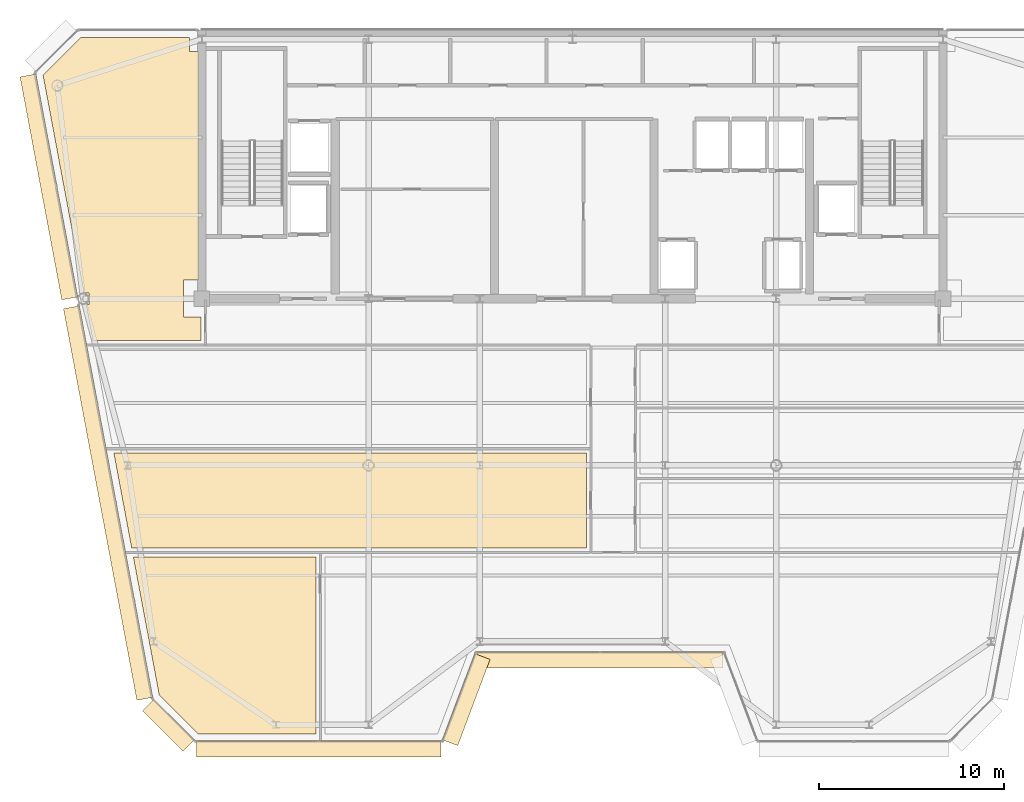
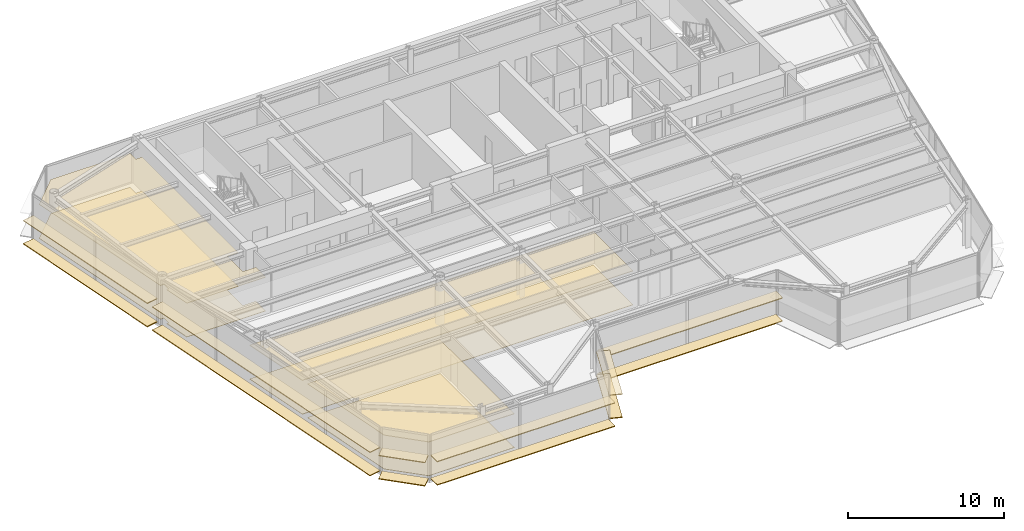
# One storey, part 14 of 20: 18 coverings.
"""IFC4 building model written with IfcOpenShell, lengths in metres."""

from ifc_helpers import new_model, si_unit, direction, frame, origin, origin_2d, place, context, subcontext, project, spatial, polyline, rectangle, outline, extrude, source, transform, mapped, material, layer, layer_set, type_object, element, save


model = new_model("IFC4")

# Units and contexts
model_context = context("Model", 3, precision=1e-05, world=origin(), true_north=direction((0.0, 1.0)))
body_context = subcontext(model_context, "Body", "Model", "MODEL_VIEW")
ifc_project = project(units=[si_unit("LENGTHUNIT", "METRE"), si_unit("AREAUNIT", "SQUARE_METRE"), si_unit("VOLUMEUNIT", "CUBIC_METRE"), si_unit("PLANEANGLEUNIT", "RADIAN"), si_unit("MASSUNIT", "GRAM", prefix="KILO")], contexts=[model_context])

# Site, building, storey
site_placement = place(None, origin())
site = spatial("IfcSite", under=ifc_project, at=site_placement, CompositionType="ELEMENT")
building_placement = place(site_placement, origin())
building = spatial("IfcBuilding", under=site, at=building_placement, Name="Vaeldorn Concourse Tower", CompositionType="ELEMENT")
storey_placement = place(building_placement, frame((0.0, 0.0, 295.39990234375)))
storey = spatial("IfcBuildingStorey", under=building, at=storey_placement, Name="L76", CompositionType="ELEMENT", Elevation=295.39990234375)

# Coverings
ifc_material_1 = material(Name="Acoustic Mineral Fibre Board", Category="gypsum")
ifc_layer_1 = layer(ifc_material_1, 0.0400390625)
ifc_layer_set_1 = layer_set([ifc_layer_1], Name="Acoustic Mineral Fibre Board")
covering_type_1 = type_object("IfcCoveringType", Name="COV-CEIL-ACOUSTIC", PredefinedType="CEILING", material=ifc_layer_set_1)
covering_1_placement = place(storey_placement, frame((0.0, 0.0, 2.650146484375)))
element("IfcCovering", 1, at=covering_1_placement, inside=storey, type_object=covering_type_1, Name="Suspended Acoustic Ceiling L76-4", PredefinedType="CEILING", context=body_context, shape_type="SweptSolid", body=[
    extrude(outline(polyline([(7.4658203125, 50.60009765625), (13.340087890625, 50.60009765625), (13.340087890625, 49.840087890625), (13.820068359375, 49.840087890625), (13.820068359375, 37.5), (13.0, 37.5), (13.0, 35.5), (13.9599609375, 35.5), (13.9599609375, 34.239990234375), (8.11767578125, 34.239990234375), (7.751220703125, 36.195068359375), (7.905029296875, 36.195068359375), (7.905029296875, 36.804931640625), (7.63671875, 36.804931640625), (5.431884765625, 48.56640625), (7.4658203125, 50.60009765625)])), origin(), (0.0, 0.0, 1.0), 0.0400390625),
])
covering_2_placement = place(storey_placement, frame((0.0, 0.0, 2.650146484375)))
element("IfcCovering", 2, at=covering_2_placement, inside=storey, type_object=covering_type_1, Name="Suspended Acoustic Ceiling L76-6", PredefinedType="CEILING", context=body_context, shape_type="SweptSolid", body=[
    extrude(outline(polyline([(34.760009765625, 28.159912109375), (34.760009765625, 23.0400390625), (10.217041015625, 23.0400390625), (9.25732421875, 28.159912109375), (34.760009765625, 28.159912109375)])), origin(), (0.0, 0.0, 1.0), 0.0400390625),
])
covering_3_placement = place(storey_placement, frame((0.0, 0.0, 2.650146484375)))
element("IfcCovering", 3, at=covering_3_placement, inside=storey, type_object=covering_type_1, Name="Suspended Acoustic Ceiling L76-11", PredefinedType="CEILING", context=body_context, shape_type="SweptSolid", body=[
    extrude(outline(polyline([(20.159912109375, 22.56005859375), (20.159912109375, 13.0), (13.8017578125, 13.0), (11.706298828125, 15.09521484375), (11.687255859375, 15.197509765625), (10.30712890625, 22.56005859375), (20.159912109375, 22.56005859375)])), origin(), (0.0, 0.0, 1.0), 0.0400390625),
])
ifc_material_2 = material(Name="Honed Limestone Terrazzo Flooring", Category="masonry")
ifc_layer_2 = layer(ifc_material_2, 0.0400390625)
ifc_layer_set_2 = layer_set([ifc_layer_2], Name="Honed Limestone Terrazzo Flooring")
covering_type_2 = type_object("IfcCoveringType", Name="COV-FLOOR-STONE", PredefinedType="FLOORING", material=ifc_layer_set_2)
covering_4_placement = place(storey_placement, origin())
element("IfcCovering", 4, at=covering_4_placement, inside=storey, type_object=covering_type_2, Name="Floor Finish Covering L76-4", PredefinedType="FLOORING", context=body_context, shape_type="SweptSolid", body=[
    extrude(outline(polyline([(7.4658203125, 50.60009765625), (13.340087890625, 50.60009765625), (13.340087890625, 49.840087890625), (13.820068359375, 49.840087890625), (13.820068359375, 37.5), (13.0, 37.5), (13.0, 35.5), (13.9599609375, 35.5), (13.9599609375, 34.239990234375), (8.11767578125, 34.239990234375), (7.751220703125, 36.195068359375), (7.905029296875, 36.195068359375), (7.905029296875, 36.804931640625), (7.63671875, 36.804931640625), (5.431884765625, 48.56640625), (7.4658203125, 50.60009765625)])), origin(), (0.0, 0.0, 1.0), 0.030029296875),
])
covering_5_placement = place(storey_placement, origin())
element("IfcCovering", 5, at=covering_5_placement, inside=storey, type_object=covering_type_2, Name="Floor Finish Covering L76-6", PredefinedType="FLOORING", context=body_context, shape_type="SweptSolid", body=[
    extrude(outline(polyline([(34.760009765625, 28.159912109375), (34.760009765625, 23.0400390625), (10.217041015625, 23.0400390625), (9.25732421875, 28.159912109375), (34.760009765625, 28.159912109375)])), origin(), (0.0, 0.0, 1.0), 0.030029296875),
])
covering_6_placement = place(storey_placement, origin())
element("IfcCovering", 6, at=covering_6_placement, inside=storey, type_object=covering_type_2, Name="Floor Finish Covering L76-11", PredefinedType="FLOORING", context=body_context, shape_type="SweptSolid", body=[
    extrude(outline(polyline([(20.159912109375, 22.56005859375), (20.159912109375, 13.0), (13.8017578125, 13.0), (11.706298828125, 15.09521484375), (11.687255859375, 15.197509765625), (10.30712890625, 22.56005859375), (20.159912109375, 22.56005859375)])), origin(), (0.0, 0.0, 1.0), 0.030029296875),
])
ifc_material_3 = material(Name="Anodised Bronze Aluminium", Category="aluminium")
ifc_layer_3 = layer(ifc_material_3, 0.06494140625)
ifc_layer_set_3 = layer_set([ifc_layer_3], Name="Anodised Bronze Aluminium")
covering_type_3 = type_object("IfcCoveringType", Name="SD-BRONZE-SUNSHADE", PredefinedType="USERDEFINED", material=ifc_layer_set_3)
shared_shape_1 = source(origin(), body_context, "Body", "SweptSolid", [
    extrude(rectangle(XDim=4.96630859375, YDim=0.8798828125, at=origin_2d()), origin(), (0.0, 0.0, 1.0), 0.06494140625),
])
for number, where, z_axis, x_axis, name in (
    (7, (28.2744140625, 14.859619140625, 0.047607421875), (0.0, 0.0, 1.0), (0.351122702609, 0.936329454686, 0.0), "Horizontal Bronze Sunshade L76-E02.1.1"),
    (8, (28.2744140625, 14.859619140625, 1.86767578125), (0.0, 0.0, 1.0), (0.351122702609, 0.936329454686, 0.0), "Horizontal Bronze Sunshade L76-E02.1.2"),
):
    element("IfcCovering", number, at=place(storey_placement, frame(where, z_axis=z_axis, x_axis=x_axis)), inside=storey, type_object=covering_type_3, Name=name, ObjectType="SUNSHADE", PredefinedType="USERDEFINED", context=body_context, shape_type="MappedRepresentation", body=[
        mapped(shared_shape_1, transform((0.0, 0.0, 0.0), scale=1.0)),
    ])
shared_shape_2 = source(origin(), body_context, "Body", "SweptSolid", [
    extrude(rectangle(XDim=13.239990234375, YDim=0.8798828125, at=origin_2d()), origin(), (0.0, 0.0, 1.0), 0.06494140625),
])
for number, where, z_axis, x_axis, name in (
    (9, (35.5, 17.0, 0.047607421875), (0.0, 0.0, 1.0), (1.0, 0.0, 0.0), "Horizontal Bronze Sunshade L76-E03.1.1"),
    (10, (35.5, 17.0, 1.86767578125), (0.0, 0.0, 1.0), (1.0, 0.0, 0.0), "Horizontal Bronze Sunshade L76-E03.1.2"),
):
    element("IfcCovering", number, at=place(storey_placement, frame(where, z_axis=z_axis, x_axis=x_axis)), inside=storey, type_object=covering_type_3, Name=name, ObjectType="SUNSHADE", PredefinedType="USERDEFINED", context=body_context, shape_type="MappedRepresentation", body=[
        mapped(shared_shape_2, transform((0.0, 0.0, 0.0), scale=1.0)),
    ])
shared_shape_3 = source(origin(), body_context, "Body", "SweptSolid", [
    extrude(rectangle(XDim=3.0927734375, YDim=0.8798828125, at=origin_2d()), origin(), (0.0, 0.0, 1.0), 0.06494140625),
])
for number, where, z_axis, x_axis, name in (
    (11, (12.203125, 13.46728515625, 0.047607421875), (0.0, 0.0, 1.0), (0.707106781187, -0.707106781187, 0.0), "Horizontal Bronze Sunshade L76-E12.1.1"),
    (12, (12.203125, 13.46728515625, 1.86767578125), (0.0, 0.0, 1.0), (0.707106781187, -0.707106781187, 0.0), "Horizontal Bronze Sunshade L76-E12.1.2"),
):
    element("IfcCovering", number, at=place(storey_placement, frame(where, z_axis=z_axis, x_axis=x_axis)), inside=storey, type_object=covering_type_3, Name=name, ObjectType="SUNSHADE", PredefinedType="USERDEFINED", context=body_context, shape_type="MappedRepresentation", body=[
        mapped(shared_shape_3, transform((0.0, 0.0, 0.0), scale=1.0)),
    ])
shared_shape_4 = source(origin(), body_context, "Body", "SweptSolid", [
    extrude(rectangle(XDim=21.49560546875, YDim=0.8798828125, at=origin_2d()), origin(), (0.0, 0.0, 1.0), 0.06494140625),
])
for number, where, z_axis, x_axis, name in (
    (13, (8.94775390625, 25.46875, 0.047607421875), (0.0, 0.0, 1.0), (0.1842429853, -0.98288072642, 0.0), "Horizontal Bronze Sunshade L76-E11.2.1"),
    (14, (8.94775390625, 25.46875, 1.86767578125), (0.0, 0.0, 1.0), (0.1842429853, -0.98288072642, 0.0), "Horizontal Bronze Sunshade L76-E11.2.2"),
):
    element("IfcCovering", number, at=place(storey_placement, frame(where, z_axis=z_axis, x_axis=x_axis)), inside=storey, type_object=covering_type_3, Name=name, ObjectType="SUNSHADE", PredefinedType="USERDEFINED", context=body_context, shape_type="MappedRepresentation", body=[
        mapped(shared_shape_4, transform((0.0, 0.0, 0.0), scale=1.0)),
    ])
shared_shape_5 = source(origin(), body_context, "Body", "SweptSolid", [
    extrude(rectangle(XDim=12.241943359375, YDim=0.8798828125, at=origin_2d()), origin(), (0.0, 0.0, 1.0), 0.06494140625),
])
for number, where, z_axis, x_axis, name in (
    (15, (5.749267578125, 42.531494140625, 0.047607421875), (0.0, 0.0, 1.0), (0.1842429853, -0.98288072642, 0.0), "Horizontal Bronze Sunshade L76-E11.1.1"),
    (16, (5.749267578125, 42.531494140625, 1.86767578125), (0.0, 0.0, 1.0), (0.1842429853, -0.98288072642, 0.0), "Horizontal Bronze Sunshade L76-E11.1.2"),
):
    element("IfcCovering", number, at=place(storey_placement, frame(where, z_axis=z_axis, x_axis=x_axis)), inside=storey, type_object=covering_type_3, Name=name, ObjectType="SUNSHADE", PredefinedType="USERDEFINED", context=body_context, shape_type="MappedRepresentation", body=[
        mapped(shared_shape_5, transform((0.0, 0.0, 0.0), scale=1.0)),
    ])
shared_shape_6 = source(origin(), body_context, "Body", "SweptSolid", [
    extrude(rectangle(XDim=13.2041015625, YDim=0.8798828125, at=origin_2d()), origin(), (0.0, 0.0, 1.0), 0.06494140625),
])
for number, where, z_axis, x_axis, name in (
    (17, (20.318115234375, 12.199951171875, 0.047607421875), (0.0, 0.0, 1.0), (1.0, 0.0, 0.0), "Horizontal Bronze Sunshade L76-E01.1.1"),
    (18, (20.318115234375, 12.199951171875, 1.86767578125), (0.0, 0.0, 1.0), (1.0, 0.0, 0.0), "Horizontal Bronze Sunshade L76-E01.1.2"),
):
    element("IfcCovering", number, at=place(storey_placement, frame(where, z_axis=z_axis, x_axis=x_axis)), inside=storey, type_object=covering_type_3, Name=name, ObjectType="SUNSHADE", PredefinedType="USERDEFINED", context=body_context, shape_type="MappedRepresentation", body=[
        mapped(shared_shape_6, transform((0.0, 0.0, 0.0), scale=1.0)),
    ])

save(model, "model.ifc")
